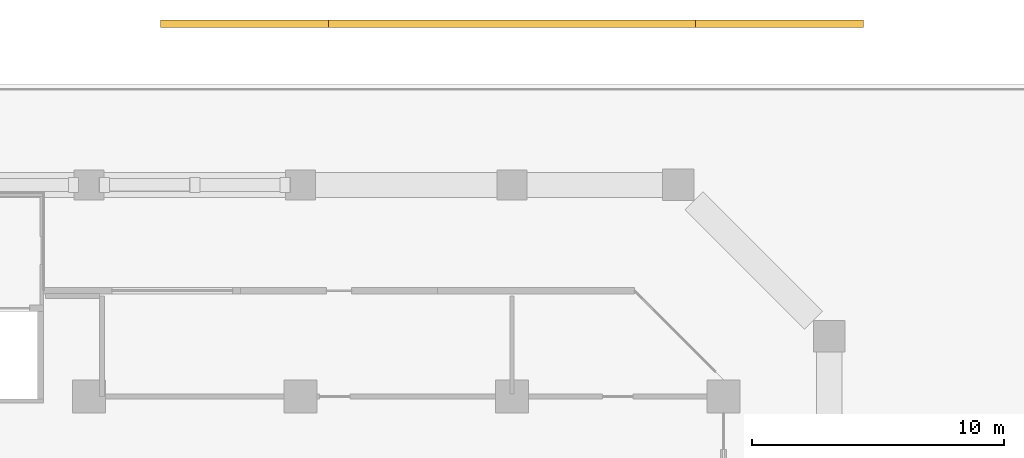
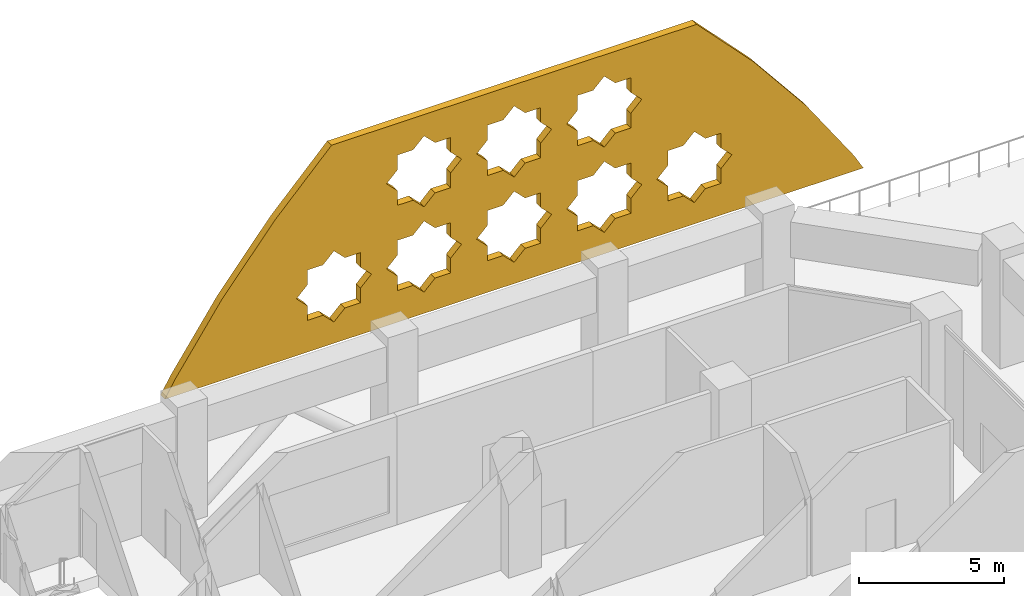
# One storey, part 19 of 19: 1 covering.
"""IFC4 building model written with IfcOpenShell, lengths in metres."""

from ifc_helpers import new_model, si_unit, direction, frame, origin, place, context, subcontext, project, spatial, polyline, outline, extrude, material, layer, layer_set, type_object, element, save


model = new_model("IFC4")

# Units and contexts
model_context = context("Model", 3, precision=1e-05, world=origin(), true_north=direction((0.0, 1.0)))
body_context = subcontext(model_context, "Body", "Model", "MODEL_VIEW")
ifc_project = project(units=[si_unit("LENGTHUNIT", "METRE"), si_unit("AREAUNIT", "SQUARE_METRE"), si_unit("VOLUMEUNIT", "CUBIC_METRE"), si_unit("PLANEANGLEUNIT", "RADIAN"), si_unit("MASSUNIT", "GRAM", prefix="KILO")], contexts=[model_context])

# Site, building, storey
site_placement = place(None, origin())
site = spatial("IfcSite", under=ifc_project, at=site_placement, CompositionType="ELEMENT")
building_placement = place(site_placement, origin())
building = spatial("IfcBuilding", under=site, at=building_placement, Name="Kawkab Arch Medical Tower", CompositionType="ELEMENT")
storey_placement = place(building_placement, frame((0.0, 0.0, 34.199951171875)))
storey = spatial("IfcBuildingStorey", under=building, at=storey_placement, Name="L07", CompositionType="ELEMENT", Elevation=34.199951171875)

# Covering
ifc_material = material(Name="Perforated bronze anodised aluminium, eight-point star pattern", Category="aluminium")
ifc_layer = layer(ifc_material, 0.300048828125)
ifc_layer_set = layer_set([ifc_layer], Name="Perforated bronze anodised aluminium, eight-point star pattern")
covering_type = type_object("IfcCoveringType", Name="Spandrel star screen 300", PredefinedType="USERDEFINED", material=ifc_layer_set)
covering_placement = place(storey_placement, frame((0.0, 6.550048828125, -34.199951171875), z_axis=(0.0, -1.0, 0.0), x_axis=(1.0, 0.0, 0.0)))
element("IfcCovering", 1, at=covering_placement, inside=storey, type_object=covering_type, Name="Spandrel screen N 6.1", ObjectType="SCREEN", PredefinedType="USERDEFINED", context=body_context, shape_type="SweptSolid", body=[
    extrude(outline(polyline([(53.24609375, 34.199951171875), (81.154052734375, 34.199951171875), (80.775634765625, 34.8583984375), (78.877685546875, 37.62109375), (76.763916015625, 40.223388671875), (74.4931640625, 42.60009765625), (59.90673828125, 42.60009765625), (57.63623046875, 40.223388671875), (55.522216796875, 37.62109375), (53.62451171875, 34.8583984375), (53.24609375, 34.199951171875)]), holes=[polyline([(61.5, 36.60009765625), (61.060791015625, 37.039306640625), (61.060791015625, 37.66064453125), (60.439208984375, 37.66064453125), (60.0, 38.10009765625), (59.560791015625, 37.66064453125), (58.939208984375, 37.66064453125), (58.939208984375, 37.039306640625), (58.5, 36.60009765625), (58.939208984375, 36.16064453125), (58.939208984375, 35.539306640625), (59.560791015625, 35.539306640625), (60.0, 35.10009765625), (60.439208984375, 35.539306640625), (61.060791015625, 35.539306640625), (61.060791015625, 36.16064453125), (61.5, 36.60009765625)]), polyline([(65.10009765625, 36.60009765625), (64.66064453125, 37.039306640625), (64.66064453125, 37.66064453125), (64.039306640625, 37.66064453125), (63.60009765625, 38.10009765625), (63.16064453125, 37.66064453125), (62.539306640625, 37.66064453125), (62.539306640625, 37.039306640625), (62.10009765625, 36.60009765625), (62.539306640625, 36.16064453125), (62.539306640625, 35.539306640625), (63.16064453125, 35.539306640625), (63.60009765625, 35.10009765625), (64.039306640625, 35.539306640625), (64.66064453125, 35.539306640625), (64.66064453125, 36.16064453125), (65.10009765625, 36.60009765625)]), polyline([(65.10009765625, 40.199951171875), (64.66064453125, 40.639404296875), (64.66064453125, 41.2607421875), (64.039306640625, 41.2607421875), (63.60009765625, 41.699951171875), (63.16064453125, 41.2607421875), (62.539306640625, 41.2607421875), (62.539306640625, 40.639404296875), (62.10009765625, 40.199951171875), (62.539306640625, 39.7607421875), (62.539306640625, 39.139404296875), (63.16064453125, 39.139404296875), (63.60009765625, 38.699951171875), (64.039306640625, 39.139404296875), (64.66064453125, 39.139404296875), (64.66064453125, 39.7607421875), (65.10009765625, 40.199951171875)]), polyline([(68.699951171875, 36.60009765625), (68.2607421875, 37.039306640625), (68.2607421875, 37.66064453125), (67.639404296875, 37.66064453125), (67.199951171875, 38.10009765625), (66.7607421875, 37.66064453125), (66.139404296875, 37.66064453125), (66.139404296875, 37.039306640625), (65.699951171875, 36.60009765625), (66.139404296875, 36.16064453125), (66.139404296875, 35.539306640625), (66.7607421875, 35.539306640625), (67.199951171875, 35.10009765625), (67.639404296875, 35.539306640625), (68.2607421875, 35.539306640625), (68.2607421875, 36.16064453125), (68.699951171875, 36.60009765625)]), polyline([(68.699951171875, 40.199951171875), (68.2607421875, 40.639404296875), (68.2607421875, 41.2607421875), (67.639404296875, 41.2607421875), (67.199951171875, 41.699951171875), (66.7607421875, 41.2607421875), (66.139404296875, 41.2607421875), (66.139404296875, 40.639404296875), (65.699951171875, 40.199951171875), (66.139404296875, 39.7607421875), (66.139404296875, 39.139404296875), (66.7607421875, 39.139404296875), (67.199951171875, 38.699951171875), (67.639404296875, 39.139404296875), (68.2607421875, 39.139404296875), (68.2607421875, 39.7607421875), (68.699951171875, 40.199951171875)]), polyline([(72.300048828125, 36.60009765625), (71.860595703125, 37.039306640625), (71.860595703125, 37.66064453125), (71.2392578125, 37.66064453125), (70.800048828125, 38.10009765625), (70.360595703125, 37.66064453125), (69.7392578125, 37.66064453125), (69.7392578125, 37.039306640625), (69.300048828125, 36.60009765625), (69.7392578125, 36.16064453125), (69.7392578125, 35.539306640625), (70.360595703125, 35.539306640625), (70.800048828125, 35.10009765625), (71.2392578125, 35.539306640625), (71.860595703125, 35.539306640625), (71.860595703125, 36.16064453125), (72.300048828125, 36.60009765625)]), polyline([(72.300048828125, 40.199951171875), (71.860595703125, 40.639404296875), (71.860595703125, 41.2607421875), (71.2392578125, 41.2607421875), (70.800048828125, 41.699951171875), (70.360595703125, 41.2607421875), (69.7392578125, 41.2607421875), (69.7392578125, 40.639404296875), (69.300048828125, 40.199951171875), (69.7392578125, 39.7607421875), (69.7392578125, 39.139404296875), (70.360595703125, 39.139404296875), (70.800048828125, 38.699951171875), (71.2392578125, 39.139404296875), (71.860595703125, 39.139404296875), (71.860595703125, 39.7607421875), (72.300048828125, 40.199951171875)]), polyline([(75.89990234375, 36.60009765625), (75.460693359375, 37.039306640625), (75.460693359375, 37.66064453125), (74.83935546875, 37.66064453125), (74.39990234375, 38.10009765625), (73.960693359375, 37.66064453125), (73.33935546875, 37.66064453125), (73.33935546875, 37.039306640625), (72.89990234375, 36.60009765625), (73.33935546875, 36.16064453125), (73.33935546875, 35.539306640625), (73.960693359375, 35.539306640625), (74.39990234375, 35.10009765625), (74.83935546875, 35.539306640625), (75.460693359375, 35.539306640625), (75.460693359375, 36.16064453125), (75.89990234375, 36.60009765625)])]), origin(), (0.0, 0.0, 1.0), 0.300048828125),
])

save(model, "model.ifc")
